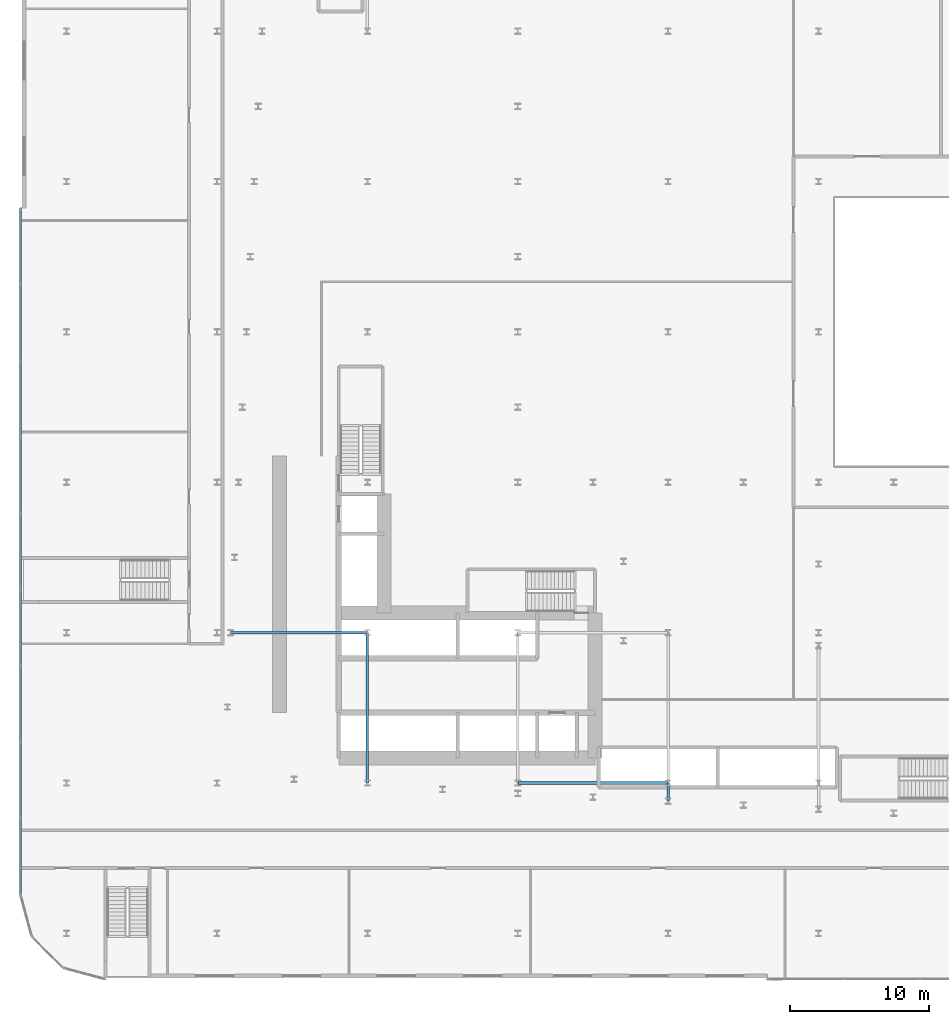
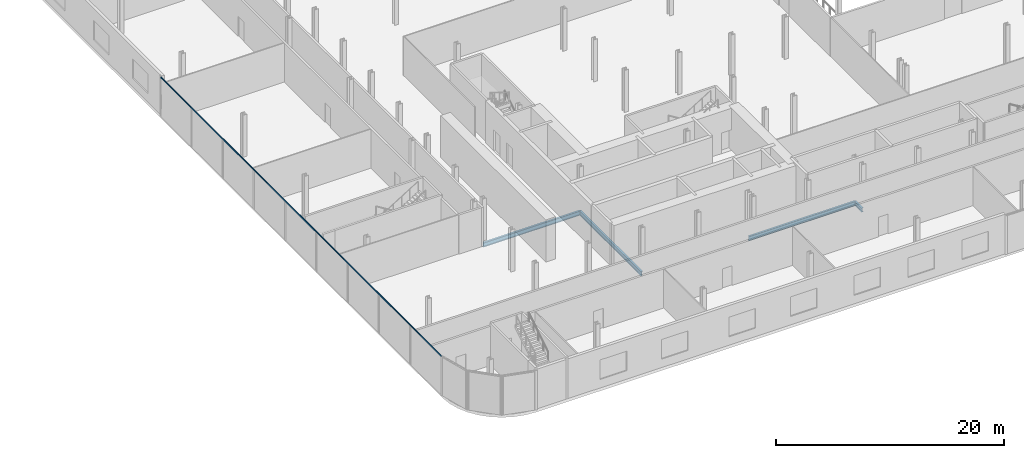
# One storey, part 7 of 47: 4 beams, 1 member, 1 element without a shape of its own.
"""IFC4 building model written with IfcOpenShell, lengths in metres."""

from ifc_helpers import new_model, si_unit, direction, frame, origin, origin_2d, place, context, subcontext, project, spatial, rectangle, i_section, extrude, material, layer, layer_set, material_profile, profile_set, type_object, element, aggregate, save


model = new_model("IFC4")

# Units and contexts
model_context = context("Model", 3, precision=1e-05, world=origin(), true_north=direction((0.0, 1.0)))
body_context = subcontext(model_context, "Body", "Model", "MODEL_VIEW")
ifc_project = project(units=[si_unit("LENGTHUNIT", "METRE"), si_unit("AREAUNIT", "SQUARE_METRE"), si_unit("VOLUMEUNIT", "CUBIC_METRE"), si_unit("PLANEANGLEUNIT", "RADIAN"), si_unit("MASSUNIT", "GRAM", prefix="KILO")], contexts=[model_context])

# Site, building, storey
site_placement = place(None, origin())
site = spatial("IfcSite", under=ifc_project, at=site_placement, CompositionType="ELEMENT")
building_placement = place(site_placement, origin())
building = spatial("IfcBuilding", under=site, at=building_placement, Name="Kheshtan School and Residences Tower", CompositionType="ELEMENT")
storey_placement = place(building_placement, frame((0.0, 0.0, 12.5)))
storey = spatial("IfcBuildingStorey", under=building, at=storey_placement, Name="L02", CompositionType="ELEMENT", Elevation=12.5)

# Beams
ifc_material_1 = material(Name="Steel ASTM A992 Grade 50", Category="steel")
ifc_material_profile_1 = material_profile(ifc_material_1, i_section(OverallWidth=0.180908203125, OverallDepth=0.4169921875, WebThickness=0.010986328125, FlangeThickness=0.018310546875, FilletRadius=0.012451171875, at=origin_2d()), Name="W410x85")
ifc_profile_set_1 = profile_set([ifc_material_profile_1], Name="Steel ASTM A992 Grade 50")
beam_type_1 = type_object("IfcBeamType", Name="Beam PB1 W410x85 ASTM A992 Grade 50", PredefinedType="BEAM", material=ifc_profile_set_1)
beam_1_placement = place(storey_placement, frame((58.39990234375, 22.699951171875, -0.528564453125), z_axis=(0.0, 1.0, 0.0), x_axis=(-1.0, 0.0, 0.0)))
element("IfcBeam", 1, at=beam_1_placement, inside=storey, type_object=beam_type_1, Name="Podium floor beam PB1", PredefinedType="BEAM", context=body_context, shape_type="SweptSolid", body=[
    extrude(i_section(OverallWidth=0.180908203125, OverallDepth=0.4169921875, WebThickness=0.010986328125, FlangeThickness=0.018310546875, FilletRadius=0.012451171875, at=origin_2d()), origin(), (0.0, 0.0, 1.0), 1.300048828125),
])
ifc_material_profile_2 = material_profile(ifc_material_1, i_section(OverallWidth=0.194091796875, OverallDepth=0.468994140625, WebThickness=0.0126953125, FlangeThickness=0.0205078125, FilletRadius=0.01416015625, at=origin_2d()), Name="W460x106")
ifc_profile_set_2 = profile_set([ifc_material_profile_2], Name="Steel ASTM A992 Grade 50")
beam_type_2 = type_object("IfcBeamType", Name="Beam PB2 W460x106 ASTM A992 Grade 50", PredefinedType="BEAM", material=ifc_profile_set_2)
beam_2_placement = place(storey_placement, frame((36.800048828125, 24.0, -0.554443359375), z_axis=(0.0, 1.0, 0.0), x_axis=(-1.0, 0.0, 0.0)))
element("IfcBeam", 2, at=beam_2_placement, inside=storey, type_object=beam_type_2, Name="Podium floor beam PB2", PredefinedType="BEAM", context=body_context, shape_type="SweptSolid", body=[
    extrude(i_section(OverallWidth=0.194091796875, OverallDepth=0.468994140625, WebThickness=0.0126953125, FlangeThickness=0.0205078125, FilletRadius=0.01416015625, at=origin_2d()), origin(), (0.0, 0.0, 1.0), 10.800048828125),
])
beam_3_placement = place(storey_placement, frame((47.60009765625, 24.0, -0.554443359375), z_axis=(1.0, 0.0, 0.0), x_axis=(0.0, 1.0, 0.0)))
element("IfcBeam", 3, at=beam_3_placement, inside=storey, type_object=beam_type_2, Name="Podium floor beam PB2", PredefinedType="BEAM", context=body_context, shape_type="SweptSolid", body=[
    extrude(i_section(OverallWidth=0.194091796875, OverallDepth=0.468994140625, WebThickness=0.0126953125, FlangeThickness=0.0205078125, FilletRadius=0.01416015625, at=origin_2d()), origin(), (0.0, 0.0, 1.0), 10.7998046875),
])
beam_4_placement = place(storey_placement, frame((26.969970703125, 34.800048828125, -0.554443359375), z_axis=(1.0, 0.0, 0.0), x_axis=(0.0, 1.0, 0.0)))
element("IfcBeam", 4, at=beam_4_placement, inside=storey, type_object=beam_type_2, Name="Podium floor beam PB2", PredefinedType="BEAM", context=body_context, shape_type="SweptSolid", body=[
    extrude(i_section(OverallWidth=0.194091796875, OverallDepth=0.468994140625, WebThickness=0.0126953125, FlangeThickness=0.0205078125, FilletRadius=0.01416015625, at=origin_2d()), origin(), (0.0, 0.0, 1.0), 9.830078125),
])

# Curtain wall, member
ifc_material_2 = material(Name="Clear low-e glass in thermally broken aluminium frame", Category="aluminium")
ifc_layer = layer(ifc_material_2, 0.22509765625)
ifc_layer_set = layer_set([ifc_layer], Name="Curtain wall CW-P")
curtain_wall_type = type_object("IfcCurtainWallType", Name="Curtain wall CW-P", PredefinedType="NOTDEFINED", material=ifc_layer_set)
curtain_wall_placement = place(storey_placement, origin())
curtain_wall = element("IfcCurtainWall", 5, at=curtain_wall_placement, inside=storey, type_object=curtain_wall_type, Name="Curtain wall CWP16a", PredefinedType="NOTDEFINED")
ifc_material_3 = material(Name="Thermally broken aluminium, dark bronze anodised", Category="aluminium")
ifc_material_profile_3 = material_profile(ifc_material_3, rectangle(XDim=0.06005859375, YDim=0.139892578125, at=origin_2d()), Name="CW-P transom 60x140")
ifc_profile_set_3 = profile_set([ifc_material_profile_3], Name="Thermally broken aluminium, dark bronze anodised")
member_type = type_object("IfcMemberType", Name="CW-P transom 60x140", PredefinedType="USERDEFINED", material=ifc_profile_set_3)
member_placement = place(storey_placement, frame((11.89990234375, 15.97509765625, 4.179931640625), z_axis=(0.0, 1.0, 0.0), x_axis=(-1.0, 0.0, 0.0)))
member = element("IfcMember", 6, at=member_placement, type_object=member_type, Name="CWP16a transom 1", ObjectType="TRANSOM", PredefinedType="USERDEFINED", context=body_context, shape_type="SweptSolid", body=[
    extrude(rectangle(XDim=0.06005859375, YDim=0.139892578125, at=origin_2d()), origin(), (0.0, 0.0, 1.0), 49.244873046875),
])
aggregate(curtain_wall, [member])

save(model, "model.ifc")
